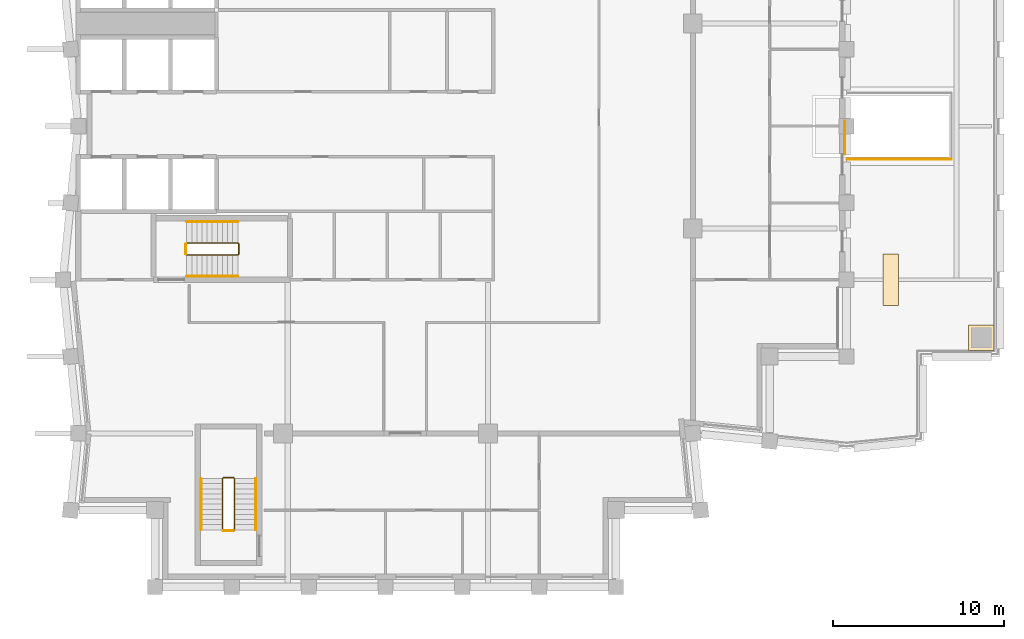
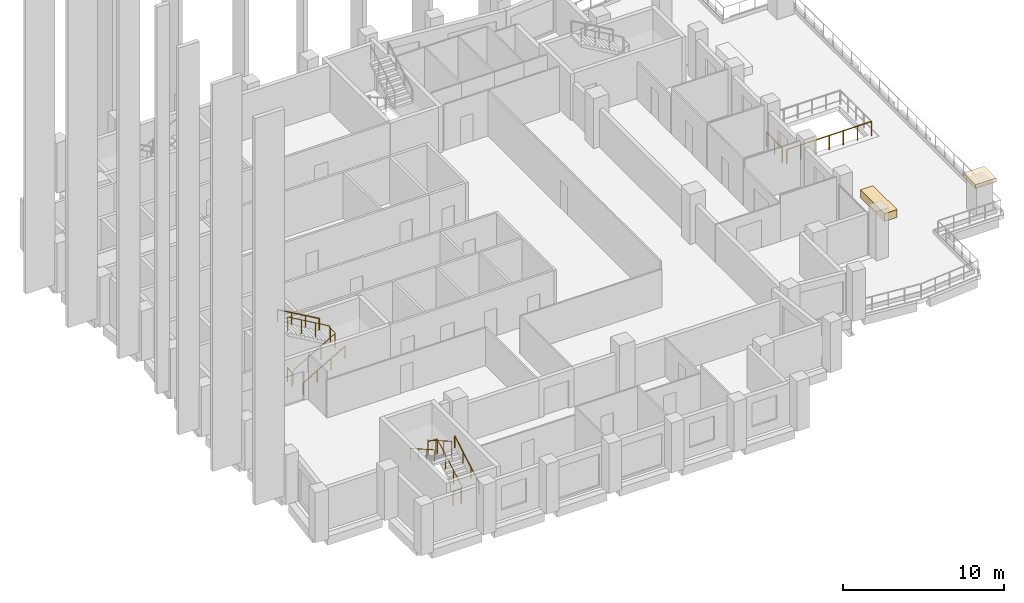
# One storey, part 9 of 11: 10 railings, 2 coverings.
"""IFC4 building model written with IfcOpenShell, lengths in metres."""

from ifc_helpers import new_model, si_unit, direction, frame, origin, origin_2d, place, context, subcontext, project, spatial, polyline, rectangle, circle, outline, extrude, material, layer, layer_set, type_object, element, save


model = new_model("IFC4")

# Units and contexts
model_context = context("Model", 3, precision=1e-05, world=origin(), true_north=direction((0.0, 1.0)))
body_context = subcontext(model_context, "Body", "Model", "MODEL_VIEW")
ifc_project = project(units=[si_unit("LENGTHUNIT", "METRE"), si_unit("AREAUNIT", "SQUARE_METRE"), si_unit("VOLUMEUNIT", "CUBIC_METRE"), si_unit("PLANEANGLEUNIT", "RADIAN"), si_unit("MASSUNIT", "GRAM", prefix="KILO")], contexts=[model_context])

# Site, building, storey
site_placement = place(None, origin())
site = spatial("IfcSite", under=ifc_project, at=site_placement, CompositionType="ELEMENT")
building_placement = place(site_placement, origin())
building = spatial("IfcBuilding", under=site, at=building_placement, Name="Brondeck Convention Tower", CompositionType="ELEMENT")
storey_placement = place(building_placement, frame((0.0, 0.0, 252.39990234375)))
storey = spatial("IfcBuildingStorey", under=building, at=storey_placement, Name="L62", CompositionType="ELEMENT", Elevation=252.39990234375)

# Railing
ifc_material_1 = material(Name="Steel S355, bronze painted", Category="steel")
railing_type_1 = type_object("IfcRailingType", Name="Guard, bronze steel rail and posts", PredefinedType="GUARDRAIL", material=ifc_material_1)
railing_1_placement = place(storey_placement, frame((51.14990234375, 43.050048828125, 0.0)))
element("IfcRailing", 1, at=railing_1_placement, inside=storey, type_object=railing_type_1, Name="ENV-S3-1-WRL1", PredefinedType="GUARDRAIL", context=body_context, shape_type="SweptSolid", body=[
    extrude(circle(Radius=0.02490234375, at=origin_2d()), frame((0.0, 0.0, 1.0751953125), z_axis=(-1.0, 0.0, 0.0), x_axis=(0.0, -1.0, 0.0)), (0.0, 0.0, 1.0), 6.099853515625),
    extrude(circle(Radius=0.02490234375, at=origin_2d()), origin(), (0.0, 0.0, 1.0), 1.050048828125),
    extrude(circle(Radius=0.02490234375, at=origin_2d()), frame((-1.0166015625, 0.0, 0.0)), (0.0, 0.0, 1.0), 1.050048828125),
    extrude(circle(Radius=0.02490234375, at=origin_2d()), frame((-2.033203125, 0.0, 0.0)), (0.0, 0.0, 1.0), 1.050048828125),
    extrude(circle(Radius=0.02490234375, at=origin_2d()), frame((-3.0498046875, 0.0, 0.0)), (0.0, 0.0, 1.0), 1.050048828125),
    extrude(circle(Radius=0.02490234375, at=origin_2d()), frame((-4.066650390625, 0.0, 0.0)), (0.0, 0.0, 1.0), 1.050048828125),
    extrude(circle(Radius=0.02490234375, at=origin_2d()), frame((-5.083251953125, 0.0, 0.0)), (0.0, 0.0, 1.0), 1.050048828125),
    extrude(circle(Radius=0.02490234375, at=origin_2d()), frame((-6.099853515625, 0.0, 0.0)), (0.0, 0.0, 1.0), 1.050048828125),
])

# Covering
ifc_material_2 = material(Name="Aluminium, bronze anodised planter with soil", Category="aluminium")
ifc_layer_1 = layer(ifc_material_2, 0.199951171875)
ifc_layer_set_1 = layer_set([ifc_layer_1], Name="Roof planter")
covering_type_1 = type_object("IfcCoveringType", Name="Roof planter", PredefinedType="USERDEFINED", material=ifc_layer_set_1)
covering_1_placement = place(storey_placement, frame((47.60009765625, 36.0, 0.050048828125), z_axis=(0.0, 0.0, 1.0), x_axis=(0.0, 1.0, 0.0)))
element("IfcCovering", 2, at=covering_1_placement, inside=storey, type_object=covering_type_1, Name="ENV-S3-1-PL01", ObjectType="PLANTER", PredefinedType="USERDEFINED", context=body_context, shape_type="SweptSolid", body=[
    extrude(rectangle(XDim=3.0, YDim=0.89990234375, at=origin_2d()), origin(), (0.0, 0.0, 1.0), 0.60009765625),
])

# Railings
ifc_material_3 = material(Name="Steel S355", Category="steel")
railing_type_2 = type_object("IfcRailingType", Name="Stair guard 1100", PredefinedType="GUARDRAIL", material=ifc_material_3)
railing_2_placement = place(storey_placement, frame((6.35009765625, 37.449951171875, 0.1728515625)))
element("IfcRailing", 3, at=railing_2_placement, inside=storey, type_object=railing_type_2, Name="L62 ST-1 stair guard 1", PredefinedType="GUARDRAIL", context=body_context, shape_type="SweptSolid", body=[
    extrude(circle(Radius=0.02392578125, at=origin_2d()), frame((0.0, 0.0, 1.076171875), z_axis=(0.866619684472, 0.0, 0.498969260062), x_axis=(0.0, 1.0, 0.0)), (0.0, 0.0, 1.0), 3.461669921875),
    extrude(circle(Radius=0.02392578125, at=origin_2d()), frame((3.0, 0.0, 2.80322265625), z_axis=(0.705375805398, 0.708833529934, 0.0), x_axis=(-0.708833529934, 0.705375805398, 0.0)), (0.0, 0.0, 1.0), 0.070556640625),
    extrude(circle(Radius=0.02392578125, at=origin_2d()), frame((3.0498046875, 0.050048828125, 2.80322265625), z_axis=(0.0, 1.0, 0.0), x_axis=(-1.0, 0.0, 0.0)), (0.0, 0.0, 1.0), 0.60009765625),
    extrude(circle(Radius=0.02392578125, at=origin_2d()), frame((3.0498046875, 0.650146484375, 2.80322265625), z_axis=(-0.26715648603, 0.26715648603, 0.925880566782), x_axis=(-0.707106781187, -0.707106781187, 0.0)), (0.0, 0.0, 1.0), 0.1865234375),
    extrude(circle(Radius=0.02392578125, at=origin_2d()), frame((3.0, 0.699951171875, 2.97607421875), z_axis=(-0.866619684472, 0.0, 0.498969260062), x_axis=(0.0, -1.0, 0.0)), (0.0, 0.0, 1.0), 3.461669921875),
    extrude(circle(Radius=0.02099609375, at=origin_2d()), origin(), (0.0, 0.0, 1.0), 1.052001953125),
    extrude(circle(Radius=0.02099609375, at=origin_2d()), frame((1.0, 0.0, 0.57568359375)), (0.0, 0.0, 1.0), 1.052001953125),
    extrude(circle(Radius=0.02099609375, at=origin_2d()), frame((2.0, 0.0, 1.151611328125)), (0.0, 0.0, 1.0), 1.052001953125),
    extrude(circle(Radius=0.02099609375, at=origin_2d()), frame((3.0, 0.0, 1.727294921875)), (0.0, 0.0, 1.0), 1.052001953125),
    extrude(circle(Radius=0.02099609375, at=origin_2d()), frame((3.0498046875, 0.050048828125, 1.727294921875)), (0.0, 0.0, 1.0), 1.052001953125),
    extrude(circle(Radius=0.02099609375, at=origin_2d()), frame((3.0498046875, 0.650146484375, 1.727294921875)), (0.0, 0.0, 1.0), 1.052001953125),
    extrude(circle(Radius=0.02099609375, at=origin_2d()), frame((3.0, 0.699951171875, 1.89990234375)), (0.0, 0.0, 1.0), 1.052001953125),
    extrude(circle(Radius=0.02099609375, at=origin_2d()), frame((2.0, 0.699951171875, 2.4755859375)), (0.0, 0.0, 1.0), 1.052001953125),
    extrude(circle(Radius=0.02099609375, at=origin_2d()), frame((1.0, 0.699951171875, 3.051513671875)), (0.0, 0.0, 1.0), 1.052001953125),
    extrude(circle(Radius=0.02099609375, at=origin_2d()), frame((0.0, 0.699951171875, 3.627197265625)), (0.0, 0.0, 1.0), 1.052001953125),
])
railing_3_placement = place(storey_placement, frame((6.300048828125, 37.5, 0.0)))
element("IfcRailing", 4, at=railing_3_placement, inside=storey, type_object=railing_type_2, Name="L62 ST-1 stair guard 2", PredefinedType="GUARDRAIL", context=body_context, shape_type="SweptSolid", body=[
    extrude(circle(Radius=0.02392578125, at=origin_2d()), frame((0.0, 0.0, 1.076171875), z_axis=(0.0, 1.0, 0.0), x_axis=(-1.0, 0.0, 0.0)), (0.0, 0.0, 1.0), 0.60009765625),
    extrude(circle(Radius=0.02099609375, at=origin_2d()), origin(), (0.0, 0.0, 1.0), 1.052001953125),
    extrude(circle(Radius=0.02099609375, at=origin_2d()), frame((0.0, 0.60009765625, 0.0)), (0.0, 0.0, 1.0), 1.052001953125),
])
railing_4_placement = place(storey_placement, frame((9.14990234375, 21.35009765625, 0.1728515625)))
element("IfcRailing", 5, at=railing_4_placement, inside=storey, type_object=railing_type_2, Name="L62 ST-BE stair guard 1", PredefinedType="GUARDRAIL", context=body_context, shape_type="SweptSolid", body=[
    extrude(circle(Radius=0.02392578125, at=origin_2d()), frame((0.0, 0.0, 1.076171875), z_axis=(0.0, 0.866619684472, 0.498969260062), x_axis=(-1.0, 0.0, 0.0)), (0.0, 0.0, 1.0), 3.461669921875),
    extrude(circle(Radius=0.02392578125, at=origin_2d()), frame((0.0, 3.0, 2.80322265625), z_axis=(-0.707106781187, 0.707106781187, 0.0), x_axis=(-0.707106781187, -0.707106781187, 0.0)), (0.0, 0.0, 1.0), 0.0703125),
    extrude(circle(Radius=0.02392578125, at=origin_2d()), frame((-0.0498046875, 3.0498046875, 2.80322265625), z_axis=(-1.0, 0.0, 0.0), x_axis=(0.0, -1.0, 0.0)), (0.0, 0.0, 1.0), 0.60009765625),
    extrude(circle(Radius=0.02392578125, at=origin_2d()), frame((-0.64990234375, 3.0498046875, 2.80322265625), z_axis=(-0.268371968888, -0.267062837333, 0.925556009775), x_axis=(0.705375805398, -0.708833529934, 0.0)), (0.0, 0.0, 1.0), 0.1865234375),
    extrude(circle(Radius=0.02392578125, at=origin_2d()), frame((-0.699951171875, 3.0, 2.97607421875), z_axis=(0.0, -0.866619684472, 0.498969260062), x_axis=(1.0, 0.0, 0.0)), (0.0, 0.0, 1.0), 3.461669921875),
    extrude(circle(Radius=0.02099609375, at=origin_2d()), origin(), (0.0, 0.0, 1.0), 1.052001953125),
    extrude(circle(Radius=0.02099609375, at=origin_2d()), frame((0.0, 1.0, 0.57568359375)), (0.0, 0.0, 1.0), 1.052001953125),
    extrude(circle(Radius=0.02099609375, at=origin_2d()), frame((0.0, 2.0, 1.151611328125)), (0.0, 0.0, 1.0), 1.052001953125),
    extrude(circle(Radius=0.02099609375, at=origin_2d()), frame((0.0, 3.0, 1.727294921875)), (0.0, 0.0, 1.0), 1.052001953125),
    extrude(circle(Radius=0.02099609375, at=origin_2d()), frame((-0.0498046875, 3.0498046875, 1.727294921875)), (0.0, 0.0, 1.0), 1.052001953125),
    extrude(circle(Radius=0.02099609375, at=origin_2d()), frame((-0.64990234375, 3.0498046875, 1.727294921875)), (0.0, 0.0, 1.0), 1.052001953125),
    extrude(circle(Radius=0.02099609375, at=origin_2d()), frame((-0.699951171875, 3.0, 1.89990234375)), (0.0, 0.0, 1.0), 1.052001953125),
    extrude(circle(Radius=0.02099609375, at=origin_2d()), frame((-0.699951171875, 2.0, 2.4755859375)), (0.0, 0.0, 1.0), 1.052001953125),
    extrude(circle(Radius=0.02099609375, at=origin_2d()), frame((-0.699951171875, 1.0, 3.051513671875)), (0.0, 0.0, 1.0), 1.052001953125),
    extrude(circle(Radius=0.02099609375, at=origin_2d()), frame((-0.699951171875, 0.0, 3.627197265625)), (0.0, 0.0, 1.0), 1.052001953125),
])
railing_5_placement = place(storey_placement, frame((9.10009765625, 21.300048828125, 0.0)))
element("IfcRailing", 6, at=railing_5_placement, inside=storey, type_object=railing_type_2, Name="L62 ST-BE stair guard 2", PredefinedType="GUARDRAIL", context=body_context, shape_type="SweptSolid", body=[
    extrude(circle(Radius=0.02392578125, at=origin_2d()), frame((0.0, 0.0, 1.076171875), z_axis=(-1.0, 0.0, 0.0), x_axis=(0.0, -1.0, 0.0)), (0.0, 0.0, 1.0), 0.60009765625),
    extrude(circle(Radius=0.02099609375, at=origin_2d()), origin(), (0.0, 0.0, 1.0), 1.052001953125),
    extrude(circle(Radius=0.02099609375, at=origin_2d()), frame((-0.60009765625, 0.0, 0.0)), (0.0, 0.0, 1.0), 1.052001953125),
])
railing_6_placement = place(storey_placement, frame((44.89990234375, 43.35009765625, 0.0)))
element("IfcRailing", 7, at=railing_6_placement, inside=storey, type_object=railing_type_2, Name="L62 ST-AF top well guard 1", PredefinedType="GUARDRAIL", context=body_context, shape_type="SweptSolid", body=[
    extrude(circle(Radius=0.02392578125, at=origin_2d()), frame((0.0, 0.0, 1.076171875), z_axis=(0.0, 1.0, 0.0), x_axis=(-1.0, 0.0, 0.0)), (0.0, 0.0, 1.0), 1.949951171875),
    extrude(circle(Radius=0.02099609375, at=origin_2d()), origin(), (0.0, 0.0, 1.0), 1.052001953125),
    extrude(circle(Radius=0.02099609375, at=origin_2d()), frame((0.0, 0.97509765625, 0.0)), (0.0, 0.0, 1.0), 1.052001953125),
    extrude(circle(Radius=0.02099609375, at=origin_2d()), frame((0.0, 1.949951171875, 0.0)), (0.0, 0.0, 1.0), 1.052001953125),
])
railing_type_3 = type_object("IfcRailingType", Name="Stair handrail", PredefinedType="HANDRAIL", material=ifc_material_3)
railing_7_placement = place(storey_placement, frame((6.35009765625, 36.199951171875, 0.1728515625)))
element("IfcRailing", 8, at=railing_7_placement, inside=storey, type_object=railing_type_3, Name="L62 ST-1 stair handrail 1", PredefinedType="HANDRAIL", context=body_context, shape_type="SweptSolid", body=[
    extrude(circle(Radius=0.02392578125, at=origin_2d()), frame((0.0, 0.0, 0.8759765625), z_axis=(0.866619684472, 0.0, 0.498969260062), x_axis=(0.0, 1.0, 0.0)), (0.0, 0.0, 1.0), 3.461669921875),
    extrude(circle(Radius=0.02099609375, at=origin_2d()), origin(), (0.0, 0.0, 1.0), 0.851806640625),
    extrude(circle(Radius=0.02099609375, at=origin_2d()), frame((1.0, 0.0, 0.57568359375)), (0.0, 0.0, 1.0), 0.851806640625),
    extrude(circle(Radius=0.02099609375, at=origin_2d()), frame((2.0, 0.0, 1.151611328125)), (0.0, 0.0, 1.0), 0.851806640625),
    extrude(circle(Radius=0.02099609375, at=origin_2d()), frame((3.0, 0.0, 1.727294921875)), (0.0, 0.0, 1.0), 0.851806640625),
])
railing_8_placement = place(storey_placement, frame((9.35009765625, 39.39990234375, 2.07275390625)))
element("IfcRailing", 9, at=railing_8_placement, inside=storey, type_object=railing_type_3, Name="L62 ST-1 stair handrail 2", PredefinedType="HANDRAIL", context=body_context, shape_type="SweptSolid", body=[
    extrude(circle(Radius=0.02392578125, at=origin_2d()), frame((0.0, 0.0, 0.8759765625), z_axis=(-0.866619684472, 0.0, 0.498969260062), x_axis=(0.0, -1.0, 0.0)), (0.0, 0.0, 1.0), 3.461669921875),
    extrude(circle(Radius=0.02099609375, at=origin_2d()), origin(), (0.0, 0.0, 1.0), 0.851806640625),
    extrude(circle(Radius=0.02099609375, at=origin_2d()), frame((-1.0, 0.0, 0.57568359375)), (0.0, 0.0, 1.0), 0.851806640625),
    extrude(circle(Radius=0.02099609375, at=origin_2d()), frame((-2.0, 0.0, 1.151611328125)), (0.0, 0.0, 1.0), 0.851806640625),
    extrude(circle(Radius=0.02099609375, at=origin_2d()), frame((-3.0, 0.0, 1.727294921875)), (0.0, 0.0, 1.0), 0.851806640625),
])
railing_9_placement = place(storey_placement, frame((10.39990234375, 21.35009765625, 0.1728515625)))
element("IfcRailing", 10, at=railing_9_placement, inside=storey, type_object=railing_type_3, Name="L62 ST-BE stair handrail 1", PredefinedType="HANDRAIL", context=body_context, shape_type="SweptSolid", body=[
    extrude(circle(Radius=0.02392578125, at=origin_2d()), frame((0.0, 0.0, 0.8759765625), z_axis=(0.0, 0.866619684472, 0.498969260062), x_axis=(-1.0, 0.0, 0.0)), (0.0, 0.0, 1.0), 3.461669921875),
    extrude(circle(Radius=0.02099609375, at=origin_2d()), origin(), (0.0, 0.0, 1.0), 0.851806640625),
    extrude(circle(Radius=0.02099609375, at=origin_2d()), frame((0.0, 1.0, 0.57568359375)), (0.0, 0.0, 1.0), 0.851806640625),
    extrude(circle(Radius=0.02099609375, at=origin_2d()), frame((0.0, 2.0, 1.151611328125)), (0.0, 0.0, 1.0), 0.851806640625),
    extrude(circle(Radius=0.02099609375, at=origin_2d()), frame((0.0, 3.0, 1.727294921875)), (0.0, 0.0, 1.0), 0.851806640625),
])
railing_10_placement = place(storey_placement, frame((7.199951171875, 24.35009765625, 2.07275390625)))
element("IfcRailing", 11, at=railing_10_placement, inside=storey, type_object=railing_type_3, Name="L62 ST-BE stair handrail 2", PredefinedType="HANDRAIL", context=body_context, shape_type="SweptSolid", body=[
    extrude(circle(Radius=0.02392578125, at=origin_2d()), frame((0.0, 0.0, 0.8759765625), z_axis=(0.0, -0.866619684472, 0.498969260062), x_axis=(1.0, 0.0, 0.0)), (0.0, 0.0, 1.0), 3.461669921875),
    extrude(circle(Radius=0.02099609375, at=origin_2d()), origin(), (0.0, 0.0, 1.0), 0.851806640625),
    extrude(circle(Radius=0.02099609375, at=origin_2d()), frame((0.0, -1.0, 0.57568359375)), (0.0, 0.0, 1.0), 0.851806640625),
    extrude(circle(Radius=0.02099609375, at=origin_2d()), frame((0.0, -2.0, 1.151611328125)), (0.0, 0.0, 1.0), 0.851806640625),
    extrude(circle(Radius=0.02099609375, at=origin_2d()), frame((0.0, -3.0, 1.727294921875)), (0.0, 0.0, 1.0), 0.851806640625),
])

# Covering
ifc_material_4 = material(Name="Precast concrete C50/60 bronze finish", Category="concrete")
ifc_layer_2 = layer(ifc_material_4, 1.5)
ifc_layer_set_2 = layer_set([ifc_layer_2], Name="Terrace finial cap, precast")
covering_type_2 = type_object("IfcCoveringType", Name="Terrace finial cap, precast", PredefinedType="MOLDING", material=ifc_layer_set_2)
covering_2_placement = place(storey_placement, frame((0.0, 0.0, 2.400146484375)))
element("IfcCovering", 12, at=covering_2_placement, inside=storey, type_object=covering_type_2, Name="ENV-FT-S3-1-1-C", PredefinedType="MOLDING", context=body_context, shape_type="SweptSolid", body=[
    extrude(outline(polyline([(53.64990234375, 31.85009765625), (53.64990234375, 33.35009765625), (52.14990234375, 33.35009765625), (52.14990234375, 31.85009765625), (53.64990234375, 31.85009765625)])), origin(), (0.0, 0.0, 1.0), 0.300048828125),
])

save(model, "model.ifc")
